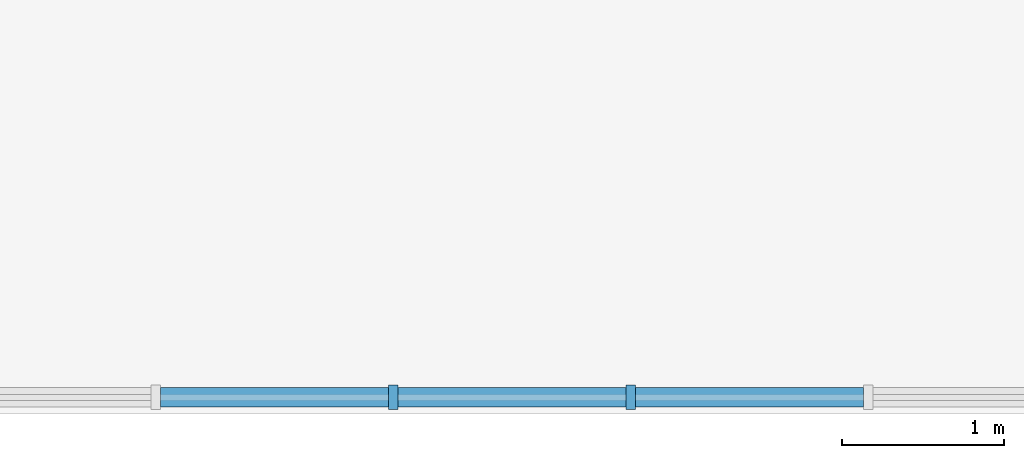
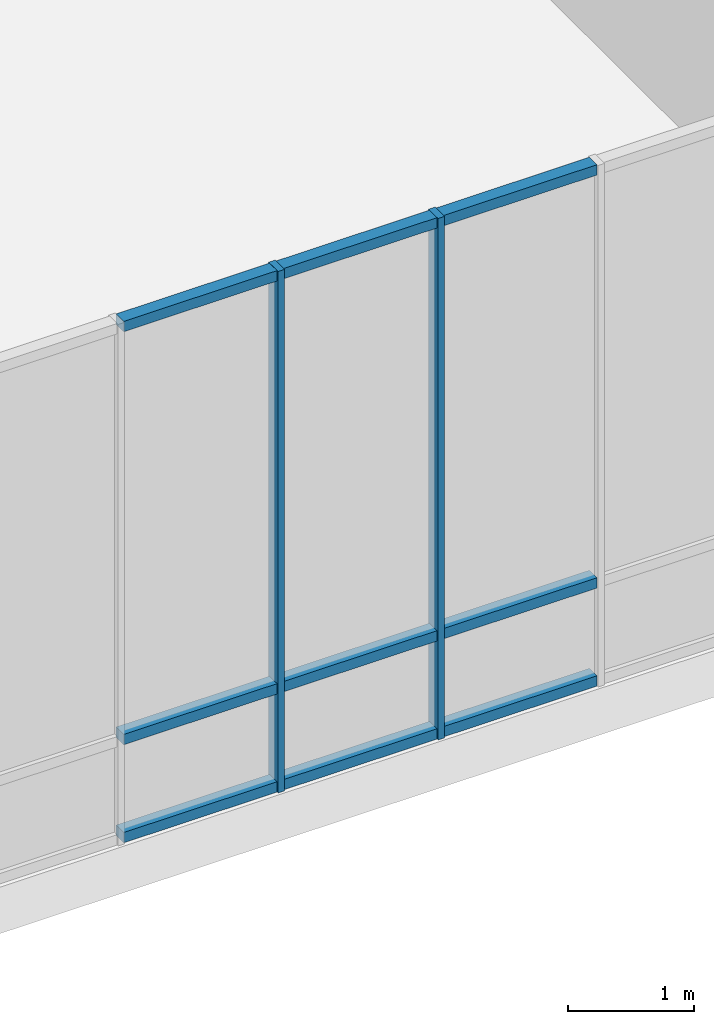
# One storey, part 4 of 28: 11 members, 1 element without a shape of its own.
"""IFC4 building model written with IfcOpenShell, lengths in metres."""

from ifc_helpers import new_model, si_unit, direction, frame, origin, origin_2d, place, context, subcontext, project, spatial, rectangle, extrude, material, layer, layer_set, material_profile, profile_set, type_object, element, aggregate, save


model = new_model("IFC4")

# Units and contexts
model_context = context("Model", 3, precision=1e-05, world=origin(), true_north=direction((0.0, 1.0)))
body_context = subcontext(model_context, "Body", "Model", "MODEL_VIEW")
ifc_project = project(units=[si_unit("LENGTHUNIT", "METRE"), si_unit("AREAUNIT", "SQUARE_METRE"), si_unit("VOLUMEUNIT", "CUBIC_METRE"), si_unit("PLANEANGLEUNIT", "RADIAN"), si_unit("MASSUNIT", "GRAM", prefix="KILO")], contexts=[model_context])

# Site, building, storey
site_placement = place(None, origin())
site = spatial("IfcSite", under=ifc_project, at=site_placement, CompositionType="ELEMENT")
building_placement = place(site_placement, origin())
building = spatial("IfcBuilding", under=site, at=building_placement, Name="Torana Hotel and Residences", CompositionType="ELEMENT")
storey_placement = place(building_placement, frame((0.0, 0.0, 7.0)))
storey = spatial("IfcBuildingStorey", under=building, at=storey_placement, Name="L01", CompositionType="ELEMENT", Elevation=7.0)

# Curtain wall, members
ifc_material_1 = material(Name="Dark anodised aluminium", Category="aluminium")
ifc_layer = layer(ifc_material_1, 0.14990234375)
ifc_layer_set = layer_set([ifc_layer], Name="CW5 PODIUM UPPER UNITISED CURTAIN WALL")
curtain_wall_type = type_object("IfcCurtainWallType", Name="CW5 PODIUM UPPER UNITISED CURTAIN WALL", PredefinedType="NOTDEFINED", material=ifc_layer_set)
curtain_wall_placement = place(storey_placement, origin())
curtain_wall = element("IfcCurtainWall", 1, at=curtain_wall_placement, inside=storey, type_object=curtain_wall_type, Name="Curtain wall CW5 L01 e0.0", PredefinedType="NOTDEFINED")
ifc_material_2 = material(Name="Dark anodised aluminium", Category="aluminium")
ifc_material_profile_1 = material_profile(ifc_material_2, rectangle(XDim=0.14990234375, YDim=0.06005859375, at=origin_2d()), Name="CW5 MULLION 60x150")
ifc_profile_set_1 = profile_set([ifc_material_profile_1], Name="Dark anodised aluminium")
member_type_1 = type_object("IfcMemberType", Name="CW5 MULLION 60x150", PredefinedType="MULLION", material=ifc_profile_set_1)
member_1_placement = place(storey_placement, frame((-18.527587890625, -39.89990234375, 0.0), z_axis=(0.0, 0.0, 1.0), x_axis=(0.0, 1.0, 0.0)))
member_1 = element("IfcMember", 2, at=member_1_placement, type_object=member_type_1, Name="CW5 mullion 17", PredefinedType="MULLION", context=body_context, shape_type="SweptSolid", body=[
    extrude(rectangle(XDim=0.14990234375, YDim=0.06005859375, at=origin_2d()), origin(), (0.0, 0.0, 1.0), 5.050048828125),
])
member_2_placement = place(storey_placement, frame((-17.06201171875, -39.89990234375, 0.0), z_axis=(0.0, 0.0, 1.0), x_axis=(0.0, 1.0, 0.0)))
member_2 = element("IfcMember", 3, at=member_2_placement, type_object=member_type_1, Name="CW5 mullion 18", PredefinedType="MULLION", context=body_context, shape_type="SweptSolid", body=[
    extrude(rectangle(XDim=0.14990234375, YDim=0.06005859375, at=origin_2d()), origin(), (0.0, 0.0, 1.0), 5.050048828125),
])
ifc_material_3 = material(Name="Dark anodised aluminium", Category="aluminium")
ifc_material_profile_2 = material_profile(ifc_material_3, rectangle(XDim=0.1201171875, YDim=0.10009765625, at=origin_2d()), Name="CW5 TRANSOM 120x100")
ifc_profile_set_2 = profile_set([ifc_material_profile_2], Name="Dark anodised aluminium")
member_type_2 = type_object("IfcMemberType", Name="CW5 TRANSOM 120x100", PredefinedType="USERDEFINED", material=ifc_profile_set_2)
member_3_placement = place(storey_placement, frame((-19.962890625, -39.89990234375, 0.050048828125), z_axis=(1.0, 0.0, 0.0), x_axis=(0.0, 1.0, 0.0)))
member_3 = element("IfcMember", 4, at=member_3_placement, type_object=member_type_2, Name="CW5 transom 16.1", ObjectType="TRANSOM", PredefinedType="USERDEFINED", context=body_context, shape_type="SweptSolid", body=[
    extrude(rectangle(XDim=0.1201171875, YDim=0.10009765625, at=origin_2d()), origin(), (0.0, 0.0, 1.0), 1.405517578125),
])
member_4_placement = place(storey_placement, frame((-19.962890625, -39.89990234375, 1.0), z_axis=(1.0, 0.0, 0.0), x_axis=(0.0, 1.0, 0.0)))
member_4 = element("IfcMember", 5, at=member_4_placement, type_object=member_type_2, Name="CW5 transom 16.2", ObjectType="TRANSOM", PredefinedType="USERDEFINED", context=body_context, shape_type="SweptSolid", body=[
    extrude(rectangle(XDim=0.1201171875, YDim=0.10009765625, at=origin_2d()), origin(), (0.0, 0.0, 1.0), 1.405517578125),
])
member_5_placement = place(storey_placement, frame((-19.962890625, -39.89990234375, 5.0), z_axis=(1.0, 0.0, 0.0), x_axis=(0.0, 1.0, 0.0)))
member_5 = element("IfcMember", 6, at=member_5_placement, type_object=member_type_2, Name="CW5 transom 16.3", ObjectType="TRANSOM", PredefinedType="USERDEFINED", context=body_context, shape_type="SweptSolid", body=[
    extrude(rectangle(XDim=0.1201171875, YDim=0.10009765625, at=origin_2d()), origin(), (0.0, 0.0, 1.0), 1.405517578125),
])
member_6_placement = place(storey_placement, frame((-18.49755859375, -39.89990234375, 0.050048828125), z_axis=(1.0, 0.0, 0.0), x_axis=(0.0, 1.0, 0.0)))
member_6 = element("IfcMember", 7, at=member_6_placement, type_object=member_type_2, Name="CW5 transom 17.1", ObjectType="TRANSOM", PredefinedType="USERDEFINED", context=body_context, shape_type="SweptSolid", body=[
    extrude(rectangle(XDim=0.1201171875, YDim=0.10009765625, at=origin_2d()), origin(), (0.0, 0.0, 1.0), 1.405517578125),
])
member_7_placement = place(storey_placement, frame((-18.49755859375, -39.89990234375, 1.0), z_axis=(1.0, 0.0, 0.0), x_axis=(0.0, 1.0, 0.0)))
member_7 = element("IfcMember", 8, at=member_7_placement, type_object=member_type_2, Name="CW5 transom 17.2", ObjectType="TRANSOM", PredefinedType="USERDEFINED", context=body_context, shape_type="SweptSolid", body=[
    extrude(rectangle(XDim=0.1201171875, YDim=0.10009765625, at=origin_2d()), origin(), (0.0, 0.0, 1.0), 1.405517578125),
])
member_8_placement = place(storey_placement, frame((-18.49755859375, -39.89990234375, 5.0), z_axis=(1.0, 0.0, 0.0), x_axis=(0.0, 1.0, 0.0)))
member_8 = element("IfcMember", 9, at=member_8_placement, type_object=member_type_2, Name="CW5 transom 17.3", ObjectType="TRANSOM", PredefinedType="USERDEFINED", context=body_context, shape_type="SweptSolid", body=[
    extrude(rectangle(XDim=0.1201171875, YDim=0.10009765625, at=origin_2d()), origin(), (0.0, 0.0, 1.0), 1.405517578125),
])
member_9_placement = place(storey_placement, frame((-17.031982421875, -39.89990234375, 0.050048828125), z_axis=(1.0, 0.0, 0.0), x_axis=(0.0, 1.0, 0.0)))
member_9 = element("IfcMember", 10, at=member_9_placement, type_object=member_type_2, Name="CW5 transom 18.1", ObjectType="TRANSOM", PredefinedType="USERDEFINED", context=body_context, shape_type="SweptSolid", body=[
    extrude(rectangle(XDim=0.1201171875, YDim=0.10009765625, at=origin_2d()), origin(), (0.0, 0.0, 1.0), 1.405517578125),
])
member_10_placement = place(storey_placement, frame((-17.031982421875, -39.89990234375, 1.0), z_axis=(1.0, 0.0, 0.0), x_axis=(0.0, 1.0, 0.0)))
member_10 = element("IfcMember", 11, at=member_10_placement, type_object=member_type_2, Name="CW5 transom 18.2", ObjectType="TRANSOM", PredefinedType="USERDEFINED", context=body_context, shape_type="SweptSolid", body=[
    extrude(rectangle(XDim=0.1201171875, YDim=0.10009765625, at=origin_2d()), origin(), (0.0, 0.0, 1.0), 1.405517578125),
])
member_11_placement = place(storey_placement, frame((-17.031982421875, -39.89990234375, 5.0), z_axis=(1.0, 0.0, 0.0), x_axis=(0.0, 1.0, 0.0)))
member_11 = element("IfcMember", 12, at=member_11_placement, type_object=member_type_2, Name="CW5 transom 18.3", ObjectType="TRANSOM", PredefinedType="USERDEFINED", context=body_context, shape_type="SweptSolid", body=[
    extrude(rectangle(XDim=0.1201171875, YDim=0.10009765625, at=origin_2d()), origin(), (0.0, 0.0, 1.0), 1.405517578125),
])
aggregate(curtain_wall, [member_1, member_2, member_3, member_4, member_5, member_6, member_7, member_8, member_9, member_10, member_11])

save(model, "model.ifc")
